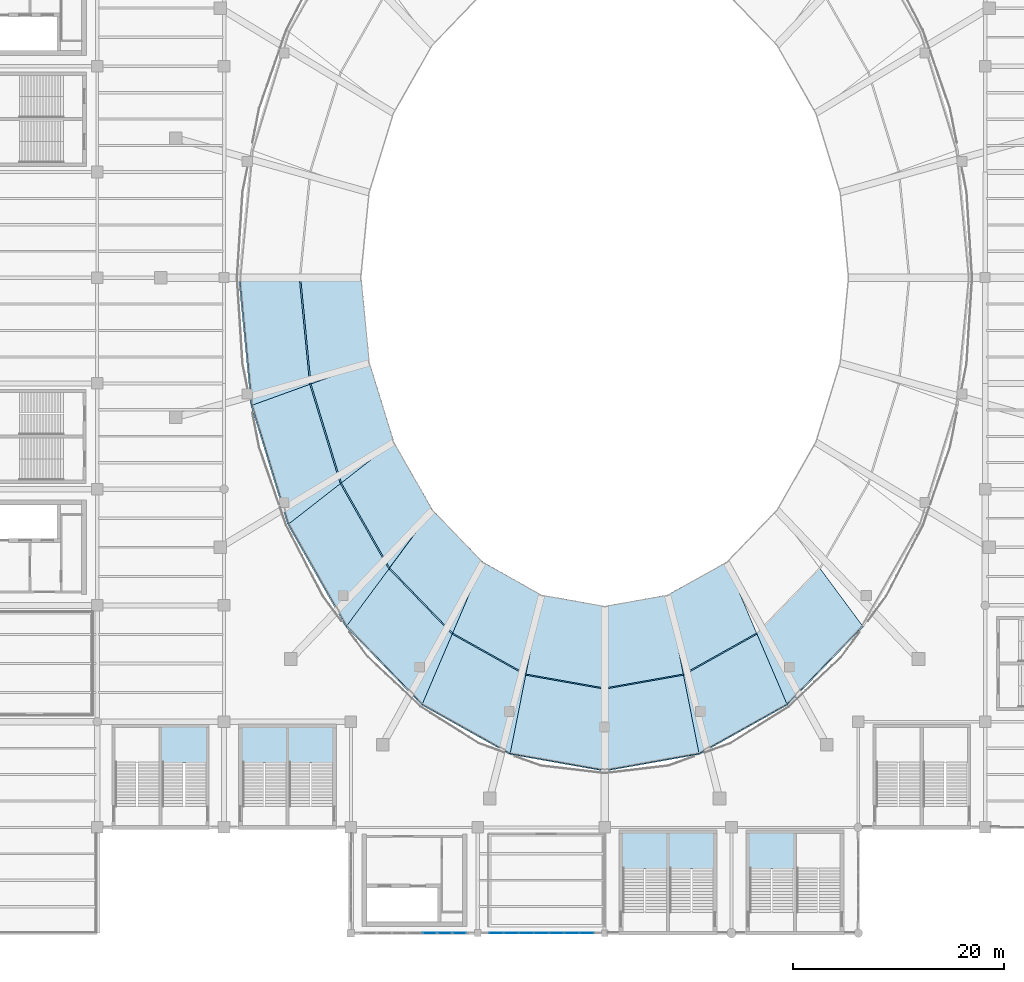
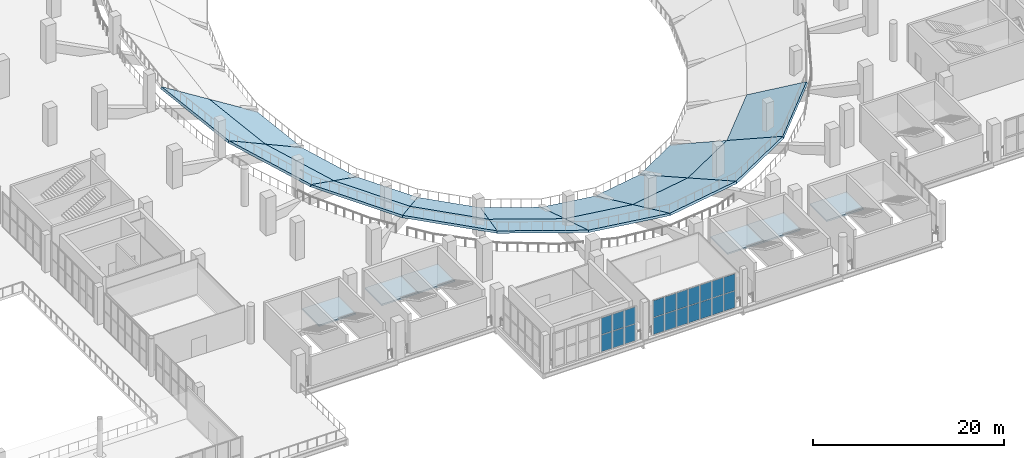
# One storey, part 95 of 136: 23 slabs, 20 plates, 8 elements without a shape of their own.
"""IFC4 building model written with IfcOpenShell, lengths in metres."""

from ifc_helpers import new_model, si_unit, direction, frame, origin, origin_2d, place, context, subcontext, project, spatial, polyline, rectangle, outline, extrude, material, layer, layer_set, type_object, element, aggregate, save


model = new_model("IFC4")

# Units and contexts
model_context = context("Model", 3, precision=1e-05, world=origin(), true_north=direction((0.0, 1.0)))
body_context = subcontext(model_context, "Body", "Model", "MODEL_VIEW")
ifc_project = project(units=[si_unit("LENGTHUNIT", "METRE"), si_unit("AREAUNIT", "SQUARE_METRE"), si_unit("VOLUMEUNIT", "CUBIC_METRE"), si_unit("PLANEANGLEUNIT", "RADIAN"), si_unit("MASSUNIT", "GRAM", prefix="KILO")], contexts=[model_context])

# Site, building, storey
site_placement = place(None, origin())
site = spatial("IfcSite", under=ifc_project, at=site_placement, CompositionType="ELEMENT")
building_placement = place(site_placement, origin())
building = spatial("IfcBuilding", under=site, at=building_placement, Name="Brinegate Civic Arena", CompositionType="ELEMENT")
storey_placement = place(building_placement, frame((0.0, 0.0, 5.39990234375)))
storey = spatial("IfcBuildingStorey", under=building, at=storey_placement, Name="L01", CompositionType="ELEMENT", Elevation=5.39990234375)

# Curtain wall, plates
ifc_material_1 = material(Name="Marine grade aluminium", Category="aluminium")
ifc_layer_1 = layer(ifc_material_1, 0.25, Name="Marine grade aluminium")
ifc_layer_set_1 = layer_set([ifc_layer_1], Name="Marine grade aluminium")
curtain_wall_type = type_object("IfcCurtainWallType", Name="CW-PORTAL-SOUTH-02", PredefinedType="USERDEFINED", material=ifc_layer_set_1)
curtain_wall_1_placement = place(storey_placement, origin())
curtain_wall_1 = element("IfcCurtainWall", 1, at=curtain_wall_1_placement, inside=storey, type_object=curtain_wall_type, Name="Curtain Wall CWA-067", ObjectType="PORTAL CURTAIN WALL", PredefinedType="USERDEFINED")
ifc_material_2 = material(Name="Hurricane laminated low-E glass", Category="glass")
ifc_layer_2 = layer(ifc_material_2, 0.031982421875, Name="Hurricane laminated low-E glass")
ifc_layer_set_2 = layer_set([ifc_layer_2], Name="Hurricane laminated low-E glass")
plate_type_1 = type_object("IfcPlateType", Name="CW-PANEL-GLAZED-32", PredefinedType="CURTAIN_PANEL", material=ifc_layer_set_2)
plate_1_placement = place(storey_placement, frame((97.74169921875, 0.0, 0.06494140625), z_axis=(0.0, 0.0, 1.0), x_axis=(1.0, 0.0, 0.0)))
plate_1 = element("IfcPlate", 2, at=plate_1_placement, type_object=plate_type_1, Name="CWA-067 panel 1.1", PredefinedType="CURTAIN_PANEL", context=body_context, shape_type="SweptSolid", body=[
    extrude(rectangle(XDim=1.333251953125, YDim=0.031982421875, at=origin_2d()), origin(), (0.0, 0.0, 1.0), 2.137451171875),
])
plate_2_placement = place(storey_placement, frame((97.74169921875, 0.0, 2.267578125), z_axis=(0.0, 0.0, 1.0), x_axis=(1.0, 0.0, 0.0)))
plate_2 = element("IfcPlate", 3, at=plate_2_placement, type_object=plate_type_1, Name="CWA-067 panel 1.2", PredefinedType="CURTAIN_PANEL", context=body_context, shape_type="SweptSolid", body=[
    extrude(rectangle(XDim=1.333251953125, YDim=0.031982421875, at=origin_2d()), origin(), (0.0, 0.0, 1.0), 2.137451171875),
])
plate_3_placement = place(storey_placement, frame((99.15625, 0.0, 0.06494140625), z_axis=(0.0, 0.0, 1.0), x_axis=(1.0, 0.0, 0.0)))
plate_3 = element("IfcPlate", 4, at=plate_3_placement, type_object=plate_type_1, Name="CWA-067 panel 2.1", PredefinedType="CURTAIN_PANEL", context=body_context, shape_type="SweptSolid", body=[
    extrude(rectangle(XDim=1.365966796875, YDim=0.031982421875, at=origin_2d()), origin(), (0.0, 0.0, 1.0), 2.137451171875),
])
plate_4_placement = place(storey_placement, frame((99.15625, 0.0, 2.267578125), z_axis=(0.0, 0.0, 1.0), x_axis=(1.0, 0.0, 0.0)))
plate_4 = element("IfcPlate", 5, at=plate_4_placement, type_object=plate_type_1, Name="CWA-067 panel 2.2", PredefinedType="CURTAIN_PANEL", context=body_context, shape_type="SweptSolid", body=[
    extrude(rectangle(XDim=1.365966796875, YDim=0.031982421875, at=origin_2d()), origin(), (0.0, 0.0, 1.0), 2.137451171875),
])
plate_5_placement = place(storey_placement, frame((100.587158203125, 0.0, 0.06494140625), z_axis=(0.0, 0.0, 1.0), x_axis=(1.0, 0.0, 0.0)))
plate_5 = element("IfcPlate", 6, at=plate_5_placement, type_object=plate_type_1, Name="CWA-067 panel 3.1", PredefinedType="CURTAIN_PANEL", context=body_context, shape_type="SweptSolid", body=[
    extrude(rectangle(XDim=1.365966796875, YDim=0.031982421875, at=origin_2d()), origin(), (0.0, 0.0, 1.0), 2.137451171875),
])
plate_6_placement = place(storey_placement, frame((100.587158203125, 0.0, 2.267578125), z_axis=(0.0, 0.0, 1.0), x_axis=(1.0, 0.0, 0.0)))
plate_6 = element("IfcPlate", 7, at=plate_6_placement, type_object=plate_type_1, Name="CWA-067 panel 3.2", PredefinedType="CURTAIN_PANEL", context=body_context, shape_type="SweptSolid", body=[
    extrude(rectangle(XDim=1.365966796875, YDim=0.031982421875, at=origin_2d()), origin(), (0.0, 0.0, 1.0), 2.137451171875),
])
plate_7_placement = place(storey_placement, frame((102.01806640625, 0.0, 0.06494140625), z_axis=(0.0, 0.0, 1.0), x_axis=(1.0, 0.0, 0.0)))
plate_7 = element("IfcPlate", 8, at=plate_7_placement, type_object=plate_type_1, Name="CWA-067 panel 4.1", PredefinedType="CURTAIN_PANEL", context=body_context, shape_type="SweptSolid", body=[
    extrude(rectangle(XDim=1.365966796875, YDim=0.031982421875, at=origin_2d()), origin(), (0.0, 0.0, 1.0), 2.137451171875),
])
plate_8_placement = place(storey_placement, frame((102.01806640625, 0.0, 2.267578125), z_axis=(0.0, 0.0, 1.0), x_axis=(1.0, 0.0, 0.0)))
plate_8 = element("IfcPlate", 9, at=plate_8_placement, type_object=plate_type_1, Name="CWA-067 panel 4.2", PredefinedType="CURTAIN_PANEL", context=body_context, shape_type="SweptSolid", body=[
    extrude(rectangle(XDim=1.365966796875, YDim=0.031982421875, at=origin_2d()), origin(), (0.0, 0.0, 1.0), 2.137451171875),
])
plate_9_placement = place(storey_placement, frame((103.448974609375, 0.0, 0.06494140625), z_axis=(0.0, 0.0, 1.0), x_axis=(1.0, 0.0, 0.0)))
plate_9 = element("IfcPlate", 10, at=plate_9_placement, type_object=plate_type_1, Name="CWA-067 panel 5.1", PredefinedType="CURTAIN_PANEL", context=body_context, shape_type="SweptSolid", body=[
    extrude(rectangle(XDim=1.365966796875, YDim=0.031982421875, at=origin_2d()), origin(), (0.0, 0.0, 1.0), 2.137451171875),
])
plate_10_placement = place(storey_placement, frame((103.448974609375, 0.0, 2.267578125), z_axis=(0.0, 0.0, 1.0), x_axis=(1.0, 0.0, 0.0)))
plate_10 = element("IfcPlate", 11, at=plate_10_placement, type_object=plate_type_1, Name="CWA-067 panel 5.2", PredefinedType="CURTAIN_PANEL", context=body_context, shape_type="SweptSolid", body=[
    extrude(rectangle(XDim=1.365966796875, YDim=0.031982421875, at=origin_2d()), origin(), (0.0, 0.0, 1.0), 2.137451171875),
])
plate_11_placement = place(storey_placement, frame((104.879638671875, 0.0, 0.06494140625), z_axis=(0.0, 0.0, 1.0), x_axis=(1.0, 0.0, 0.0)))
plate_11 = element("IfcPlate", 12, at=plate_11_placement, type_object=plate_type_1, Name="CWA-067 panel 6.1", PredefinedType="CURTAIN_PANEL", context=body_context, shape_type="SweptSolid", body=[
    extrude(rectangle(XDim=1.365966796875, YDim=0.031982421875, at=origin_2d()), origin(), (0.0, 0.0, 1.0), 2.137451171875),
])
plate_12_placement = place(storey_placement, frame((104.879638671875, 0.0, 2.267578125), z_axis=(0.0, 0.0, 1.0), x_axis=(1.0, 0.0, 0.0)))
plate_12 = element("IfcPlate", 13, at=plate_12_placement, type_object=plate_type_1, Name="CWA-067 panel 6.2", PredefinedType="CURTAIN_PANEL", context=body_context, shape_type="SweptSolid", body=[
    extrude(rectangle(XDim=1.365966796875, YDim=0.031982421875, at=origin_2d()), origin(), (0.0, 0.0, 1.0), 2.137451171875),
])
plate_13_placement = place(storey_placement, frame((106.29443359375, 0.0, 0.06494140625), z_axis=(0.0, 0.0, 1.0), x_axis=(1.0, 0.0, 0.0)))
plate_13 = element("IfcPlate", 14, at=plate_13_placement, type_object=plate_type_1, Name="CWA-067 panel 7.1", PredefinedType="CURTAIN_PANEL", context=body_context, shape_type="SweptSolid", body=[
    extrude(rectangle(XDim=1.333251953125, YDim=0.031982421875, at=origin_2d()), origin(), (0.0, 0.0, 1.0), 2.137451171875),
])
plate_14_placement = place(storey_placement, frame((106.29443359375, 0.0, 2.267578125), z_axis=(0.0, 0.0, 1.0), x_axis=(1.0, 0.0, 0.0)))
plate_14 = element("IfcPlate", 15, at=plate_14_placement, type_object=plate_type_1, Name="CWA-067 panel 7.2", PredefinedType="CURTAIN_PANEL", context=body_context, shape_type="SweptSolid", body=[
    extrude(rectangle(XDim=1.333251953125, YDim=0.031982421875, at=origin_2d()), origin(), (0.0, 0.0, 1.0), 2.137451171875),
])
aggregate(curtain_wall_1, [plate_1, plate_2, plate_3, plate_4, plate_5, plate_6, plate_7, plate_8, plate_9, plate_10, plate_11, plate_12, plate_13, plate_14])

curtain_wall_2_placement = place(storey_placement, origin())
curtain_wall_2 = element("IfcCurtainWall", 16, at=curtain_wall_2_placement, inside=storey, type_object=curtain_wall_type, Name="Curtain Wall CWA-065", ObjectType="PORTAL CURTAIN WALL", PredefinedType="USERDEFINED")
ifc_layer_3 = layer(ifc_material_2, 0.0419921875, Name="Hurricane laminated low-E glass")
ifc_layer_set_3 = layer_set([ifc_layer_3], Name="Hurricane laminated low-E glass")
plate_type_2 = type_object("IfcPlateType", Name="CW-PANEL-SPANDREL-42", PredefinedType="CURTAIN_PANEL", material=ifc_layer_set_3)
plate_15_placement = place(storey_placement, frame((91.438232421875, 0.0, 0.074951171875), z_axis=(0.0, 0.0, 1.0), x_axis=(1.0, 0.0, 0.0)))
plate_15 = element("IfcPlate", 17, at=plate_15_placement, type_object=plate_type_2, Name="CWA-065 panel 5.1", PredefinedType="CURTAIN_PANEL", context=body_context, shape_type="SweptSolid", body=[
    extrude(rectangle(XDim=1.3408203125, YDim=0.0419921875, at=origin_2d()), origin(), (0.0, 0.0, 1.0), 2.12255859375),
])
plate_16_placement = place(storey_placement, frame((91.438232421875, 0.0, 2.2724609375), z_axis=(0.0, 0.0, 1.0), x_axis=(1.0, 0.0, 0.0)))
plate_16 = element("IfcPlate", 18, at=plate_16_placement, type_object=plate_type_2, Name="CWA-065 panel 5.2", PredefinedType="CURTAIN_PANEL", context=body_context, shape_type="SweptSolid", body=[
    extrude(rectangle(XDim=1.3408203125, YDim=0.0419921875, at=origin_2d()), origin(), (0.0, 0.0, 1.0), 2.12255859375),
])
plate_17_placement = place(storey_placement, frame((92.85888671875, 0.0, 0.074951171875), z_axis=(0.0, 0.0, 1.0), x_axis=(1.0, 0.0, 0.0)))
plate_17 = element("IfcPlate", 19, at=plate_17_placement, type_object=plate_type_2, Name="CWA-065 panel 6.1", PredefinedType="CURTAIN_PANEL", context=body_context, shape_type="SweptSolid", body=[
    extrude(rectangle(XDim=1.3408203125, YDim=0.0419921875, at=origin_2d()), origin(), (0.0, 0.0, 1.0), 2.12255859375),
])
plate_18_placement = place(storey_placement, frame((92.85888671875, 0.0, 2.2724609375), z_axis=(0.0, 0.0, 1.0), x_axis=(1.0, 0.0, 0.0)))
plate_18 = element("IfcPlate", 20, at=plate_18_placement, type_object=plate_type_2, Name="CWA-065 panel 6.2", PredefinedType="CURTAIN_PANEL", context=body_context, shape_type="SweptSolid", body=[
    extrude(rectangle(XDim=1.3408203125, YDim=0.0419921875, at=origin_2d()), origin(), (0.0, 0.0, 1.0), 2.12255859375),
])
plate_19_placement = place(storey_placement, frame((94.259521484375, 0.0, 0.074951171875), z_axis=(0.0, 0.0, 1.0), x_axis=(1.0, 0.0, 0.0)))
plate_19 = element("IfcPlate", 21, at=plate_19_placement, type_object=plate_type_2, Name="CWA-065 panel 7.1", PredefinedType="CURTAIN_PANEL", context=body_context, shape_type="SweptSolid", body=[
    extrude(rectangle(XDim=1.30078125, YDim=0.0419921875, at=origin_2d()), origin(), (0.0, 0.0, 1.0), 2.12255859375),
])
plate_20_placement = place(storey_placement, frame((94.259521484375, 0.0, 2.2724609375), z_axis=(0.0, 0.0, 1.0), x_axis=(1.0, 0.0, 0.0)))
plate_20 = element("IfcPlate", 22, at=plate_20_placement, type_object=plate_type_2, Name="CWA-065 panel 7.2", PredefinedType="CURTAIN_PANEL", context=body_context, shape_type="SweptSolid", body=[
    extrude(rectangle(XDim=1.30078125, YDim=0.0419921875, at=origin_2d()), origin(), (0.0, 0.0, 1.0), 2.12255859375),
])
aggregate(curtain_wall_2, [plate_15, plate_16, plate_17, plate_18, plate_19, plate_20])

# Stair, slab
ifc_material_3 = material(Name="Concrete C40/50", Category="concrete")
stair_type_1 = type_object("IfcStairType", Name="STAIR-EXIT-3700", PredefinedType="HALF_TURN_STAIR", material=ifc_material_3)
stair_1_placement = place(storey_placement, origin())
stair_1 = element("IfcStair", 23, at=stair_1_placement, inside=storey, type_object=stair_type_1, Name="Protected Exit Stair ST-02B (L01)", PredefinedType="HALF_TURN_STAIR")
ifc_layer_4 = layer(ifc_material_3, 0.199951171875, Name="Concrete C40/50")
ifc_layer_set_4 = layer_set([ifc_layer_4], Name="Concrete C40/50")
slab_type_1 = type_object("IfcSlabType", Name="SLAB-LANDING-200", PredefinedType="LANDING", material=ifc_layer_set_4)
slab_1_placement = place(storey_placement, frame((0.0, 0.0, 2.2001953125)))
slab_1 = element("IfcSlab", 24, at=slab_1_placement, type_object=slab_type_1, Name="ST-02B landing 1", PredefinedType="LANDING", context=body_context, shape_type="SweptSolid", body=[
    extrude(outline(polyline([(65.9951171875, 16.090087890625), (70.455078125, 16.090087890625), (70.455078125, 19.60009765625), (65.9951171875, 19.60009765625), (65.9951171875, 16.090087890625)])), origin(), (0.0, 0.0, 1.0), 0.199951171875),
])
aggregate(stair_1, [slab_1])

stair_type_2 = type_object("IfcStairType", Name="STAIR-EXIT-3850", PredefinedType="HALF_TURN_STAIR", material=ifc_material_3)
stair_2_placement = place(storey_placement, origin())
stair_2 = element("IfcStair", 25, at=stair_2_placement, inside=storey, type_object=stair_type_2, Name="Protected Exit Stair ST-04A (L01)", PredefinedType="HALF_TURN_STAIR")
slab_2_placement = place(storey_placement, frame((0.0, 0.0, 2.2001953125)))
slab_2 = element("IfcSlab", 26, at=slab_2_placement, type_object=slab_type_1, Name="ST-04A landing 1", PredefinedType="LANDING", context=body_context, shape_type="SweptSolid", body=[
    extrude(outline(polyline([(121.574951171875, 6.090087890625), (126.0048828125, 6.090087890625), (126.0048828125, 9.60009765625), (121.574951171875, 9.60009765625), (121.574951171875, 6.090087890625)])), origin(), (0.0, 0.0, 1.0), 0.199951171875),
])
aggregate(stair_2, [slab_2])

stair_3_placement = place(storey_placement, origin())
stair_3 = element("IfcStair", 27, at=stair_3_placement, inside=storey, type_object=stair_type_2, Name="Protected Exit Stair ST-12A (L01)", PredefinedType="HALF_TURN_STAIR")
slab_3_placement = place(storey_placement, frame((0.0, 0.0, 2.2001953125)))
slab_3 = element("IfcSlab", 28, at=slab_3_placement, type_object=slab_type_1, Name="ST-12A landing 1", PredefinedType="LANDING", context=body_context, shape_type="SweptSolid", body=[
    extrude(outline(polyline([(73.594970703125, 16.090087890625), (78.0048828125, 16.090087890625), (78.0048828125, 19.60009765625), (73.594970703125, 19.60009765625), (73.594970703125, 16.090087890625)])), origin(), (0.0, 0.0, 1.0), 0.199951171875),
])
aggregate(stair_3, [slab_3])

stair_4_placement = place(storey_placement, origin())
stair_4 = element("IfcStair", 29, at=stair_4_placement, inside=storey, type_object=stair_type_1, Name="Protected Exit Stair ST-12B (L01)", PredefinedType="HALF_TURN_STAIR")
slab_4_placement = place(storey_placement, frame((0.0, 0.0, 2.2001953125)))
slab_4 = element("IfcSlab", 30, at=slab_4_placement, type_object=slab_type_1, Name="ST-12B landing 1", PredefinedType="LANDING", context=body_context, shape_type="SweptSolid", body=[
    extrude(outline(polyline([(77.9951171875, 16.090087890625), (82.405029296875, 16.090087890625), (82.405029296875, 19.60009765625), (77.9951171875, 19.60009765625), (77.9951171875, 16.090087890625)])), origin(), (0.0, 0.0, 1.0), 0.199951171875),
])
aggregate(stair_4, [slab_4])

stair_5_placement = place(storey_placement, origin())
stair_5 = element("IfcStair", 31, at=stair_5_placement, inside=storey, type_object=stair_type_2, Name="Protected Exit Stair ST-16A (L01)", PredefinedType="HALF_TURN_STAIR")
slab_5_placement = place(storey_placement, frame((0.0, 0.0, 2.2001953125)))
slab_5 = element("IfcSlab", 32, at=slab_5_placement, type_object=slab_type_1, Name="ST-16A landing 1", PredefinedType="LANDING", context=body_context, shape_type="SweptSolid", body=[
    extrude(outline(polyline([(109.574951171875, 6.090087890625), (114.0048828125, 6.090087890625), (114.0048828125, 9.60009765625), (109.574951171875, 9.60009765625), (109.574951171875, 6.090087890625)])), origin(), (0.0, 0.0, 1.0), 0.199951171875),
])
aggregate(stair_5, [slab_5])

stair_6_placement = place(storey_placement, origin())
stair_6 = element("IfcStair", 33, at=stair_6_placement, inside=storey, type_object=stair_type_1, Name="Protected Exit Stair ST-16B (L01)", PredefinedType="HALF_TURN_STAIR")
slab_6_placement = place(storey_placement, frame((0.0, 0.0, 2.2001953125)))
slab_6 = element("IfcSlab", 34, at=slab_6_placement, type_object=slab_type_1, Name="ST-16B landing 1", PredefinedType="LANDING", context=body_context, shape_type="SweptSolid", body=[
    extrude(outline(polyline([(113.9951171875, 6.090087890625), (118.425048828125, 6.090087890625), (118.425048828125, 9.60009765625), (113.9951171875, 9.60009765625), (113.9951171875, 6.090087890625)])), origin(), (0.0, 0.0, 1.0), 0.199951171875),
])
aggregate(stair_6, [slab_6])

# Slabs
ifc_material_4 = material(Name="Precast concrete C45/55", Category="concrete")
ifc_layer_5 = layer(ifc_material_4, 0.260009765625, Name="Precast concrete C45/55")
ifc_layer_set_5 = layer_set([ifc_layer_5], Name="Precast concrete C45/55")
slab_type_2 = type_object("IfcSlabType", Name="SLAB-TIER-LWR-260", PredefinedType="USERDEFINED", material=ifc_layer_set_5)
slab_7_placement = place(storey_placement, frame((85.0, 62.0, -4.7998046875), z_axis=(0.529937750367, 0.051699324139, 0.846459190168), x_axis=(0.097094240795, -0.995275192297, 1.360058e-06)))
element("IfcSlab", 35, at=slab_7_placement, inside=storey, type_object=slab_type_2, Name="Stand Lower Tier Bay A13", ObjectType="SEATING TIER", PredefinedType="USERDEFINED", context=body_context, shape_type="SweptSolid", body=[
    extrude(outline(polyline([(0.0, 0.0), (8.074036269936794, 0.0), (9.53432502179602, -6.760853016896017), (-0.5582869885640032, -6.760899420357436), (0.0, 0.0)])), origin(), (0.0, 0.0, -1.0), 0.260009765625),
])
slab_8_placement = place(storey_placement, frame((79.25, 62.0, -1.199951171875), z_axis=(0.529963142235, 0.051704149597, 0.846442997955), x_axis=(0.097099352791, -0.995274693583, 8.90235e-07)))
element("IfcSlab", 36, at=slab_8_placement, inside=storey, type_object=slab_type_2, Name="Stand Lower Tier Bay B13", ObjectType="SEATING TIER", PredefinedType="USERDEFINED", context=body_context, shape_type="SweptSolid", body=[
    extrude(outline(polyline([(0.0, 0.0), (10.092612010469455, -2.220446049250313e-16), (11.552869677525202, -6.760989727940588), (-0.5583180736146289, -6.761026849754357), (0.0, 0.0)])), origin(), (0.0, 0.0, -1.0), 0.260009765625),
])
slab_9_placement = place(storey_placement, frame((85.783935546875, 53.964111328125, -4.7998046875), z_axis=(0.498029193277, 0.152782927776, 0.853594927131), x_axis=(0.293257170523, -0.956033593358, 1.754859e-05)))
element("IfcSlab", 37, at=slab_9_placement, inside=storey, type_object=slab_type_2, Name="Stand Lower Tier Bay A14", ObjectType="SEATING TIER", PredefinedType="USERDEFINED", context=body_context, shape_type="SweptSolid", body=[
    extrude(outline(polyline([(0.0, 0.0), (7.8333953109632946, 2.220446049250313e-16), (10.08379522598445, -6.909999271197158), (0.2920292532901173, -6.910593002364919), (0.0, 0.0)])), origin(), (0.0, 0.0, -1.0), 0.260009765625),
])
slab_10_placement = place(storey_placement, frame((80.22998046875, 51.955078125, -1.199951171875), z_axis=(0.498021838249, 0.152788334306, 0.853598250658), x_axis=(0.293310301528, -0.956017294277, -7.785377e-06)))
element("IfcSlab", 38, at=slab_10_placement, inside=storey, type_object=slab_type_2, Name="Stand Lower Tier Bay B14", ObjectType="SEATING TIER", PredefinedType="USERDEFINED", context=body_context, shape_type="SweptSolid", body=[
    extrude(outline(polyline([(0.0, 0.0), (9.791765991612042, 0.0), (12.041460472417459, -6.9110598201522455), (0.29161022020745025, -6.910737878629219), (0.0, 0.0)])), origin(), (0.0, 0.0, -1.0), 0.260009765625),
])
slab_11_placement = place(storey_placement, frame((88.0810546875, 46.47509765625, -4.7998046875), z_axis=(0.434070193559, 0.246725000014, 0.866435134001), x_axis=(0.49419393362, -0.869351686719, -2.7770693e-05)))
element("IfcSlab", 39, at=slab_11_placement, inside=storey, type_object=slab_type_2, Name="Stand Lower Tier Bay A15", ObjectType="SEATING TIER", PredefinedType="USERDEFINED", context=body_context, shape_type="SweptSolid", body=[
    extrude(outline(polyline([(0.0, 0.0), (7.397709054571206, 4.440892098500626e-16), (10.160019730645262, -7.210515265661114), (0.9133503912743516, -7.209589498573793), (0.0, 0.0)])), origin(), (0.0, 0.0, -1.0), 0.260009765625),
])
slab_12_placement = place(storey_placement, frame((83.10205078125, 42.593994140625, -1.199951171875), z_axis=(0.434094262865, 0.246728636775, 0.866422039622), x_axis=(0.494114728966, -0.86939670715, 1.4652594e-05)))
element("IfcSlab", 40, at=slab_12_placement, inside=storey, type_object=slab_type_2, Name="Stand Lower Tier Bay B15", ObjectType="SEATING TIER", PredefinedType="USERDEFINED", context=body_context, shape_type="SweptSolid", body=[
    extrude(outline(polyline([(0.0, 0.0), (9.246669387432098, 0.0), (12.008973574681036, -7.209758590249156), (0.9135896677876594, -7.21035553888455), (0.0, 0.0)])), origin(), (0.0, 0.0, -1.0), 0.260009765625),
])
slab_13_placement = place(storey_placement, frame((91.737060546875, 40.0439453125, -4.7998046875), z_axis=(0.339037355806, 0.327287023241, 0.882007299168), x_axis=(0.694535050303, -0.719458868791, -4.28053e-06)))
element("IfcSlab", 41, at=slab_13_placement, inside=storey, type_object=slab_type_2, Name="Stand Lower Tier Bay A16", ObjectType="SEATING TIER", PredefinedType="USERDEFINED", context=body_context, shape_type="SweptSolid", body=[
    extrude(outline(polyline([(0.0, 0.0), (6.857721820254445, 8.881784197001252e-16), (9.69794410052771, -7.639265679341577), (1.125012052693245, -7.639125513034365), (0.0, 0.0)])), origin(), (0.0, 0.0, -1.0), 0.260009765625),
])
slab_14_placement = place(storey_placement, frame((87.6708984375, 34.554931640625, -1.199951171875), z_axis=(0.339094748987, 0.327332403695, 0.881968394389), x_axis=(0.694522230132, -0.719471244626, -2.935933e-06)))
element("IfcSlab", 42, at=slab_14_placement, inside=storey, type_object=slab_type_2, Name="Stand Lower Tier Bay B16", ObjectType="SEATING TIER", PredefinedType="USERDEFINED", context=body_context, shape_type="SweptSolid", body=[
    extrude(outline(polyline([(0.0, 0.0), (8.572932048997421, 0.0), (11.412400970628392, -7.638586539925358), (1.1246039048037506, -7.638469050372839), (0.0, 0.0)])), origin(), (0.0, 0.0, -1.0), 0.260009765625),
])
slab_15_placement = place(storey_placement, frame((96.5, 35.110107421875, -4.7998046875), z_axis=(0.216545206593, 0.387267914246, 0.896176174698), x_axis=(0.872800880887, -0.488076451003, 1.7298057e-05)))
element("IfcSlab", 43, at=slab_15_placement, inside=storey, type_object=slab_type_2, Name="Stand Lower Tier Bay A17", ObjectType="SEATING TIER", PredefinedType="USERDEFINED", context=body_context, shape_type="SweptSolid", body=[
    extrude(outline(polyline([(0.0, 0.0), (6.355568408466128, -4.440892098500626e-16), (8.716490687287004, -8.112949691132691), (0.772168260314414, -8.113507187693136), (0.0, 0.0)])), origin(), (0.0, 0.0, -1.0), 0.260009765625),
])
slab_16_placement = place(storey_placement, frame((93.625, 28.386962890625, -1.199951171875), z_axis=(0.216568760562, 0.387312144129, 0.89615136833), x_axis=(0.872831795987, -0.488021163217, -1.2918722e-05)))
element("IfcSlab", 44, at=slab_16_placement, inside=storey, type_object=slab_type_2, Name="Stand Lower Tier Bay B17", ObjectType="SEATING TIER", PredefinedType="USERDEFINED", context=body_context, shape_type="SweptSolid", body=[
    extrude(outline(polyline([(0.0, 0.0), (7.944322446655582, 4.440892098500626e-16), (10.304675393115732, -8.113223679163069), (0.7710031635335158, -8.112714847346542), (0.0, 0.0)])), origin(), (0.0, 0.0, -1.0), 0.260009765625),
])
slab_17_placement = place(storey_placement, frame((102.047119140625, 32.008056640625, -4.7998046875), z_axis=(0.074556001617, 0.419552446888, 0.904664107243), x_axis=(0.984569093708, -0.174996284115, 1.6121182e-05)))
element("IfcSlab", 45, at=slab_17_placement, inside=storey, type_object=slab_type_2, Name="Stand Lower Tier Bay A18", ObjectType="SEATING TIER", PredefinedType="USERDEFINED", context=body_context, shape_type="SweptSolid", body=[
    extrude(outline(polyline([(0.0, 0.0), (6.046187037902751, -1.1102230246251565e-16), (7.404559735096449, -8.447593553983724), (-0.1528869730411282, -8.448108206835286), (0.0, 0.0)])), origin(), (0.0, 0.0, -1.0), 0.260009765625),
])
slab_18_placement = place(storey_placement, frame((100.55908203125, 24.510009765625, -1.199951171875), z_axis=(0.074555028385, 0.419554276817, 0.904663338788), x_axis=(0.9845799681, -0.174935091612, -1.1740962e-05)))
element("IfcSlab", 46, at=slab_18_placement, inside=storey, type_object=slab_type_2, Name="Stand Lower Tier Bay B18", ObjectType="SEATING TIER", PredefinedType="USERDEFINED", context=body_context, shape_type="SweptSolid", body=[
    extrude(outline(polyline([(0.0, 0.0), (7.557446725792748, 2.220446049250313e-16), (8.915414981596394, -8.448659911135659), (-0.1534622812988401, -8.448201810545807), (0.0, 0.0)])), origin(), (0.0, 0.0, -1.0), 0.260009765625),
])
slab_19_placement = place(storey_placement, frame((108.0, 30.949951171875, -4.7998046875), z_axis=(-0.074556001617, 0.419552446888, 0.904664107243), x_axis=(0.984569093708, 0.174996284115, -1.6121182e-05)))
element("IfcSlab", 47, at=slab_19_placement, inside=storey, type_object=slab_type_2, Name="Stand Lower Tier Bay A19", ObjectType="SEATING TIER", PredefinedType="USERDEFINED", context=body_context, shape_type="SweptSolid", body=[
    extrude(outline(polyline([(0.0, 0.0), (6.046187037902751, 1.1102230246251565e-16), (6.199074010943879, -8.448108206835286), (-1.3583726971936978, -8.447593553983724), (0.0, 0.0)])), origin(), (0.0, 0.0, -1.0), 0.260009765625),
])
slab_20_placement = place(storey_placement, frame((108.0, 23.18798828125, -1.199951171875), z_axis=(-0.074555028385, 0.419554276817, 0.904663338788), x_axis=(0.9845799681, 0.174935091612, 1.1740962e-05)))
element("IfcSlab", 48, at=slab_20_placement, inside=storey, type_object=slab_type_2, Name="Stand Lower Tier Bay B19", ObjectType="SEATING TIER", PredefinedType="USERDEFINED", context=body_context, shape_type="SweptSolid", body=[
    extrude(outline(polyline([(0.0, 0.0), (7.557446725792748, -2.220446049250313e-16), (7.710909007091588, -8.448201810545807), (-1.3579682558036463, -8.44865991113566), (0.0, 0.0)])), origin(), (0.0, 0.0, -1.0), 0.260009765625),
])
slab_21_placement = place(storey_placement, frame((113.952880859375, 32.008056640625, -4.7998046875), z_axis=(-0.216545206593, 0.387267914246, 0.896176174698), x_axis=(0.872800880887, 0.488076451003, -1.7298057e-05)))
element("IfcSlab", 49, at=slab_21_placement, inside=storey, type_object=slab_type_2, Name="Stand Lower Tier Bay A20", ObjectType="SEATING TIER", PredefinedType="USERDEFINED", context=body_context, shape_type="SweptSolid", body=[
    extrude(outline(polyline([(0.0, 0.0), (6.355568408466128, 4.440892098500626e-16), (5.583400148151714, -8.113507187693136), (-2.3609222788208775, -8.11294969113269), (0.0, 0.0)])), origin(), (0.0, 0.0, -1.0), 0.260009765625),
])
slab_22_placement = place(storey_placement, frame((115.44091796875, 24.510009765625, -1.199951171875), z_axis=(-0.216568760562, 0.387312144129, 0.89615136833), x_axis=(0.872831795987, 0.488021163217, 1.2918722e-05)))
element("IfcSlab", 50, at=slab_22_placement, inside=storey, type_object=slab_type_2, Name="Stand Lower Tier Bay B20", ObjectType="SEATING TIER", PredefinedType="USERDEFINED", context=body_context, shape_type="SweptSolid", body=[
    extrude(outline(polyline([(0.0, 0.0), (7.944322446655582, -4.440892098500626e-16), (7.173319283122066, -8.112714847346544), (-2.360352946460151, -8.113223679163069), (0.0, 0.0)])), origin(), (0.0, 0.0, -1.0), 0.260009765625),
])
slab_23_placement = place(storey_placement, frame((122.375, 28.386962890625, -1.199951171875), z_axis=(-0.339094748987, 0.327332403695, 0.881968394389), x_axis=(0.694522230132, 0.719471244626, 2.935933e-06)))
element("IfcSlab", 51, at=slab_23_placement, inside=storey, type_object=slab_type_2, Name="Stand Lower Tier Bay B21", ObjectType="SEATING TIER", PredefinedType="USERDEFINED", context=body_context, shape_type="SweptSolid", body=[
    extrude(outline(polyline([(0.0, 0.0), (8.572932048997421, 0.0), (7.44832814419367, -7.638469050372839), (-2.8394689216309703, -7.638586539925358), (0.0, 0.0)])), origin(), (0.0, 0.0, -1.0), 0.260009765625),
])

save(model, "model.ifc")
